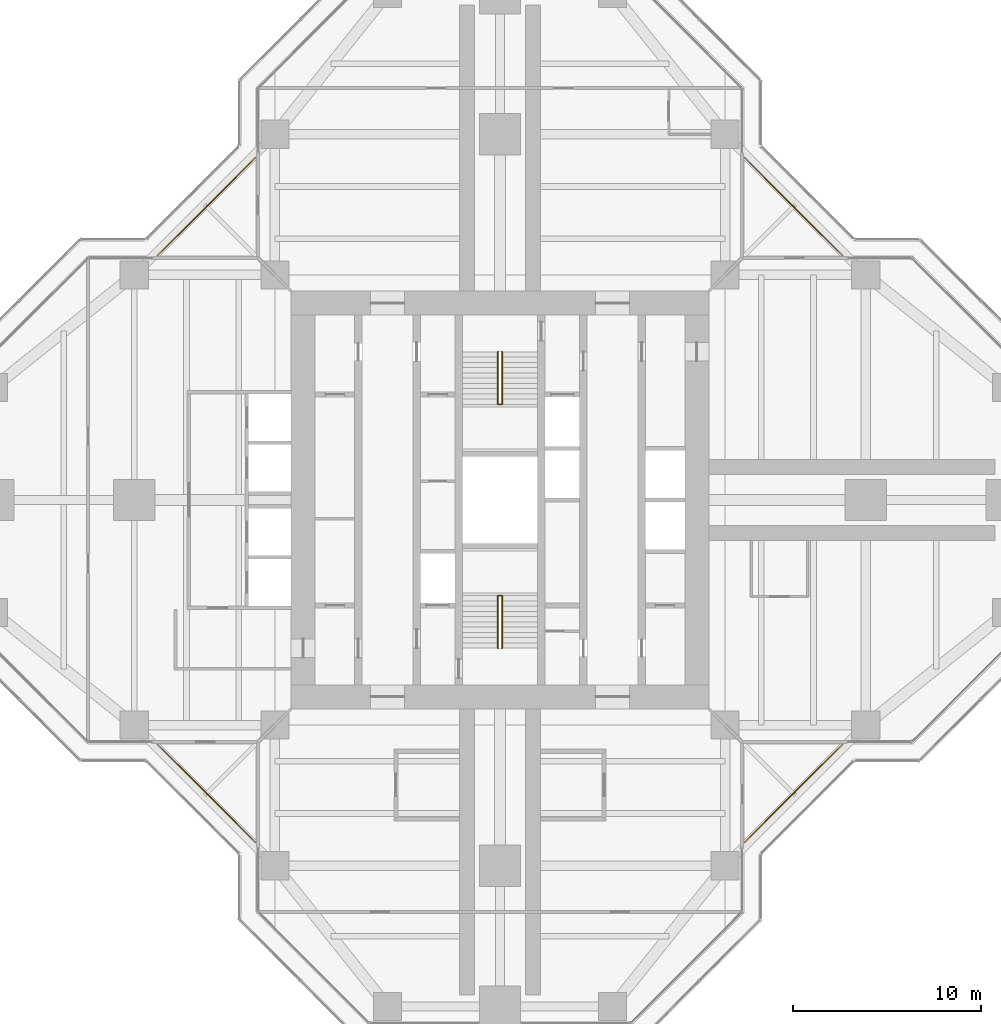
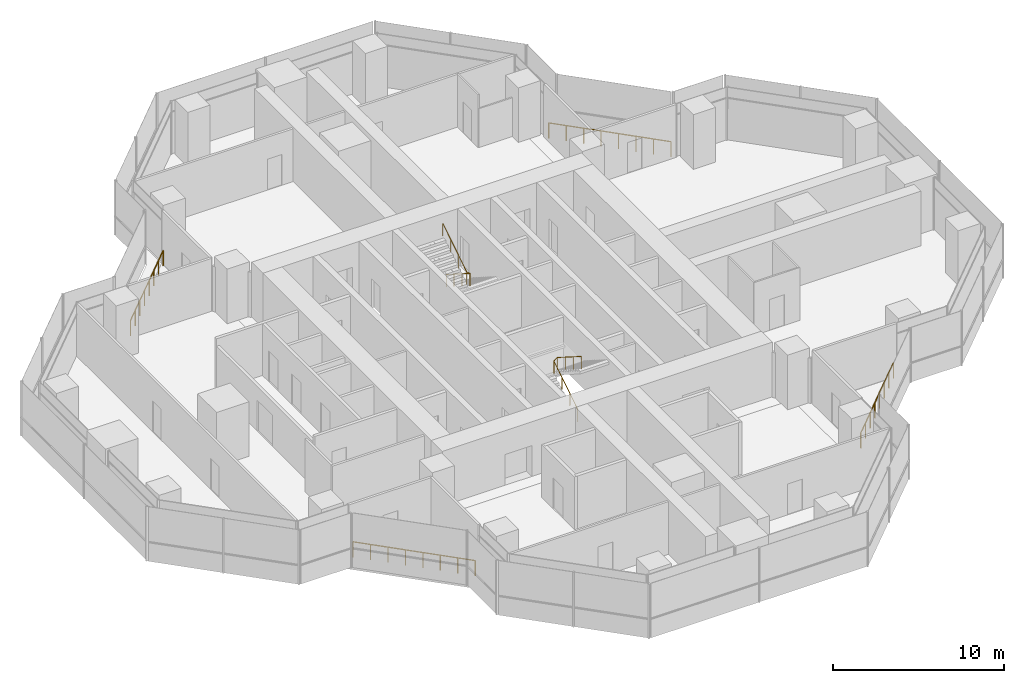
# One storey, part 17 of 17: 6 railings.
"""IFC4 building model written with IfcOpenShell, lengths in metres."""

from ifc_helpers import new_model, si_unit, direction, frame, origin, origin_2d, place, context, subcontext, project, spatial, circle, extrude, material, type_object, element, save


model = new_model("IFC4")

# Units and contexts
model_context = context("Model", 3, precision=1e-05, world=origin(), true_north=direction((0.0, 1.0)))
body_context = subcontext(model_context, "Body", "Model", "MODEL_VIEW")
ifc_project = project(units=[si_unit("LENGTHUNIT", "METRE"), si_unit("AREAUNIT", "SQUARE_METRE"), si_unit("VOLUMEUNIT", "CUBIC_METRE"), si_unit("PLANEANGLEUNIT", "RADIAN"), si_unit("MASSUNIT", "GRAM", prefix="KILO")], contexts=[model_context])

# Site, building, storey
site_placement = place(None, origin())
site = spatial("IfcSite", under=ifc_project, at=site_placement, CompositionType="ELEMENT")
building_placement = place(site_placement, origin())
building = spatial("IfcBuilding", under=site, at=building_placement, Name="Mizan Broadcast Tower", CompositionType="ELEMENT")
storey_placement = place(building_placement, frame((0.0, 0.0, 216.60009765625)))
storey = spatial("IfcBuildingStorey", under=building, at=storey_placement, Name="L50", CompositionType="ELEMENT", Elevation=216.60009765625)

# Railings
ifc_material_1 = material(Name="Stainless steel and glass guard", Category="steel")
railing_type_1 = type_object("IfcRailingType", Name="GUARD 1100", PredefinedType="GUARDRAIL", material=ifc_material_1)
railing_1_placement = place(storey_placement, frame((18.2578125, 13.030029296875, 0.0)))
element("IfcRailing", 1, at=railing_1_placement, inside=storey, type_object=railing_type_1, Name="Winter garden guard L50 E", PredefinedType="GUARDRAIL", context=body_context, shape_type="SweptSolid", body=[
    extrude(circle(Radius=0.02392578125, at=origin_2d()), frame((0.0, 0.0, 1.076171875), z_axis=(-0.707106781187, 0.707106781187, 0.0), x_axis=(-0.707106781187, -0.707106781187, 0.0)), (0.0, 0.0, 1.0), 7.393310546875),
    extrude(circle(Radius=0.02099609375, at=origin_2d()), origin(), (0.0, 0.0, 1.0), 1.052001953125),
    extrude(circle(Radius=0.02099609375, at=origin_2d()), frame((-0.746826171875, 0.746826171875, 0.0)), (0.0, 0.0, 1.0), 1.052001953125),
    extrude(circle(Radius=0.02099609375, at=origin_2d()), frame((-1.49365234375, 1.49365234375, 0.0)), (0.0, 0.0, 1.0), 1.052001953125),
    extrude(circle(Radius=0.02099609375, at=origin_2d()), frame((-2.240478515625, 2.240478515625, 0.0)), (0.0, 0.0, 1.0), 1.052001953125),
    extrude(circle(Radius=0.02099609375, at=origin_2d()), frame((-2.9873046875, 2.9873046875, 0.0)), (0.0, 0.0, 1.0), 1.052001953125),
    extrude(circle(Radius=0.02099609375, at=origin_2d()), frame((-3.734130859375, 3.734130859375, 0.0)), (0.0, 0.0, 1.0), 1.052001953125),
    extrude(circle(Radius=0.02099609375, at=origin_2d()), frame((-4.48095703125, 4.48095703125, 0.0)), (0.0, 0.0, 1.0), 1.052001953125),
    extrude(circle(Radius=0.02099609375, at=origin_2d()), frame((-5.227783203125, 5.227783203125, 0.0)), (0.0, 0.0, 1.0), 1.052001953125),
])
railing_2_placement = place(storey_placement, frame((-13.030029296875, 18.2578125, 0.0)))
element("IfcRailing", 2, at=railing_2_placement, inside=storey, type_object=railing_type_1, Name="Winter garden guard L50 N", PredefinedType="GUARDRAIL", context=body_context, shape_type="SweptSolid", body=[
    extrude(circle(Radius=0.02392578125, at=origin_2d()), frame((0.0, 0.0, 1.076171875), z_axis=(-0.707106781187, -0.707106781187, 0.0), x_axis=(0.707106781187, -0.707106781187, 0.0)), (0.0, 0.0, 1.0), 7.393310546875),
    extrude(circle(Radius=0.02099609375, at=origin_2d()), origin(), (0.0, 0.0, 1.0), 1.052001953125),
    extrude(circle(Radius=0.02099609375, at=origin_2d()), frame((-0.746826171875, -0.746826171875, 0.0)), (0.0, 0.0, 1.0), 1.052001953125),
    extrude(circle(Radius=0.02099609375, at=origin_2d()), frame((-1.49365234375, -1.49365234375, 0.0)), (0.0, 0.0, 1.0), 1.052001953125),
    extrude(circle(Radius=0.02099609375, at=origin_2d()), frame((-2.240478515625, -2.240478515625, 0.0)), (0.0, 0.0, 1.0), 1.052001953125),
    extrude(circle(Radius=0.02099609375, at=origin_2d()), frame((-2.9873046875, -2.9873046875, 0.0)), (0.0, 0.0, 1.0), 1.052001953125),
    extrude(circle(Radius=0.02099609375, at=origin_2d()), frame((-3.734130859375, -3.734130859375, 0.0)), (0.0, 0.0, 1.0), 1.052001953125),
    extrude(circle(Radius=0.02099609375, at=origin_2d()), frame((-4.48095703125, -4.48095703125, 0.0)), (0.0, 0.0, 1.0), 1.052001953125),
    extrude(circle(Radius=0.02099609375, at=origin_2d()), frame((-5.227783203125, -5.227783203125, 0.0)), (0.0, 0.0, 1.0), 1.052001953125),
])
railing_3_placement = place(storey_placement, frame((-18.2578125, -13.030029296875, 0.0)))
element("IfcRailing", 3, at=railing_3_placement, inside=storey, type_object=railing_type_1, Name="Winter garden guard L50 W", PredefinedType="GUARDRAIL", context=body_context, shape_type="SweptSolid", body=[
    extrude(circle(Radius=0.02392578125, at=origin_2d()), frame((0.0, 0.0, 1.076171875), z_axis=(0.707106781187, -0.707106781187, 0.0), x_axis=(0.707106781187, 0.707106781187, 0.0)), (0.0, 0.0, 1.0), 7.393310546875),
    extrude(circle(Radius=0.02099609375, at=origin_2d()), origin(), (0.0, 0.0, 1.0), 1.052001953125),
    extrude(circle(Radius=0.02099609375, at=origin_2d()), frame((0.746826171875, -0.746826171875, 0.0)), (0.0, 0.0, 1.0), 1.052001953125),
    extrude(circle(Radius=0.02099609375, at=origin_2d()), frame((1.49365234375, -1.49365234375, 0.0)), (0.0, 0.0, 1.0), 1.052001953125),
    extrude(circle(Radius=0.02099609375, at=origin_2d()), frame((2.240478515625, -2.240478515625, 0.0)), (0.0, 0.0, 1.0), 1.052001953125),
    extrude(circle(Radius=0.02099609375, at=origin_2d()), frame((2.9873046875, -2.9873046875, 0.0)), (0.0, 0.0, 1.0), 1.052001953125),
    extrude(circle(Radius=0.02099609375, at=origin_2d()), frame((3.734130859375, -3.734130859375, 0.0)), (0.0, 0.0, 1.0), 1.052001953125),
    extrude(circle(Radius=0.02099609375, at=origin_2d()), frame((4.48095703125, -4.48095703125, 0.0)), (0.0, 0.0, 1.0), 1.052001953125),
    extrude(circle(Radius=0.02099609375, at=origin_2d()), frame((5.227783203125, -5.227783203125, 0.0)), (0.0, 0.0, 1.0), 1.052001953125),
])
railing_4_placement = place(storey_placement, frame((13.030029296875, -18.2578125, 0.0)))
element("IfcRailing", 4, at=railing_4_placement, inside=storey, type_object=railing_type_1, Name="Winter garden guard L50 S", PredefinedType="GUARDRAIL", context=body_context, shape_type="SweptSolid", body=[
    extrude(circle(Radius=0.02392578125, at=origin_2d()), frame((0.0, 0.0, 1.076171875), z_axis=(0.707106781187, 0.707106781187, 0.0), x_axis=(-0.707106781187, 0.707106781187, 0.0)), (0.0, 0.0, 1.0), 7.393310546875),
    extrude(circle(Radius=0.02099609375, at=origin_2d()), origin(), (0.0, 0.0, 1.0), 1.052001953125),
    extrude(circle(Radius=0.02099609375, at=origin_2d()), frame((0.746826171875, 0.746826171875, 0.0)), (0.0, 0.0, 1.0), 1.052001953125),
    extrude(circle(Radius=0.02099609375, at=origin_2d()), frame((1.49365234375, 1.49365234375, 0.0)), (0.0, 0.0, 1.0), 1.052001953125),
    extrude(circle(Radius=0.02099609375, at=origin_2d()), frame((2.240478515625, 2.240478515625, 0.0)), (0.0, 0.0, 1.0), 1.052001953125),
    extrude(circle(Radius=0.02099609375, at=origin_2d()), frame((2.9873046875, 2.9873046875, 0.0)), (0.0, 0.0, 1.0), 1.052001953125),
    extrude(circle(Radius=0.02099609375, at=origin_2d()), frame((3.734130859375, 3.734130859375, 0.0)), (0.0, 0.0, 1.0), 1.052001953125),
    extrude(circle(Radius=0.02099609375, at=origin_2d()), frame((4.48095703125, 4.48095703125, 0.0)), (0.0, 0.0, 1.0), 1.052001953125),
    extrude(circle(Radius=0.02099609375, at=origin_2d()), frame((5.227783203125, 5.227783203125, 0.0)), (0.0, 0.0, 1.0), 1.052001953125),
])
ifc_material_2 = material(Name="Stainless steel", Category="steel")
railing_type_2 = type_object("IfcRailingType", Name="HANDRAIL 50", PredefinedType="HANDRAIL", material=ifc_material_2)
railing_5_placement = place(storey_placement, frame((-0.110107421875, -7.89990234375, 0.17724609375)))
element("IfcRailing", 5, at=railing_5_placement, inside=storey, type_object=railing_type_2, Name="Stair A handrail", PredefinedType="HANDRAIL", context=body_context, shape_type="SweptSolid", body=[
    extrude(circle(Radius=0.02392578125, at=origin_2d()), frame((0.0, 0.0, 0.8759765625), z_axis=(0.0, 0.844887892834, 0.53494340686), x_axis=(-1.0, 0.0, 0.0)), (0.0, 0.0, 1.0), 3.313720703125),
    extrude(circle(Radius=0.02392578125, at=origin_2d()), frame((0.0, 2.7998046875, 2.6484375), z_axis=(0.779011685263, 0.0, 0.627009405212), x_axis=(0.0, 1.0, 0.0)), (0.0, 0.0, 1.0), 0.28271484375),
    extrude(circle(Radius=0.02392578125, at=origin_2d()), frame((0.22021484375, 2.7998046875, 2.82568359375), z_axis=(0.0, -0.844887892834, 0.53494340686), x_axis=(1.0, 0.0, 0.0)), (0.0, 0.0, 1.0), 3.313720703125),
    extrude(circle(Radius=0.02099609375, at=origin_2d()), origin(), (0.0, 0.0, 1.0), 0.851806640625),
    extrude(circle(Radius=0.02099609375, at=origin_2d()), frame((0.0, 0.933349609375, 0.5908203125)), (0.0, 0.0, 1.0), 0.851806640625),
    extrude(circle(Radius=0.02099609375, at=origin_2d()), frame((0.0, 1.866455078125, 1.181884765625)), (0.0, 0.0, 1.0), 0.851806640625),
    extrude(circle(Radius=0.02099609375, at=origin_2d()), frame((0.0, 2.7998046875, 1.772705078125)), (0.0, 0.0, 1.0), 0.851806640625),
    extrude(circle(Radius=0.02099609375, at=origin_2d()), frame((0.22021484375, 2.7998046875, 1.949951171875)), (0.0, 0.0, 1.0), 0.851806640625),
    extrude(circle(Radius=0.02099609375, at=origin_2d()), frame((0.22021484375, 1.866455078125, 2.540771484375)), (0.0, 0.0, 1.0), 0.851806640625),
    extrude(circle(Radius=0.02099609375, at=origin_2d()), frame((0.22021484375, 0.933349609375, 3.1318359375)), (0.0, 0.0, 1.0), 0.851806640625),
    extrude(circle(Radius=0.02099609375, at=origin_2d()), frame((0.22021484375, 0.0, 3.72265625)), (0.0, 0.0, 1.0), 0.851806640625),
])
railing_6_placement = place(storey_placement, frame((0.110107421875, 7.89990234375, 0.17724609375)))
element("IfcRailing", 6, at=railing_6_placement, inside=storey, type_object=railing_type_2, Name="Stair B handrail", PredefinedType="HANDRAIL", context=body_context, shape_type="SweptSolid", body=[
    extrude(circle(Radius=0.02392578125, at=origin_2d()), frame((0.0, 0.0, 0.8759765625), z_axis=(0.0, -0.844887892834, 0.53494340686), x_axis=(1.0, 0.0, 0.0)), (0.0, 0.0, 1.0), 3.313720703125),
    extrude(circle(Radius=0.02392578125, at=origin_2d()), frame((0.0, -2.7998046875, 2.6484375), z_axis=(-0.779011685263, 0.0, 0.627009405212), x_axis=(0.0, -1.0, 0.0)), (0.0, 0.0, 1.0), 0.28271484375),
    extrude(circle(Radius=0.02392578125, at=origin_2d()), frame((-0.22021484375, -2.7998046875, 2.82568359375), z_axis=(0.0, 0.844887892834, 0.53494340686), x_axis=(-1.0, 0.0, 0.0)), (0.0, 0.0, 1.0), 3.313720703125),
    extrude(circle(Radius=0.02099609375, at=origin_2d()), origin(), (0.0, 0.0, 1.0), 0.851806640625),
    extrude(circle(Radius=0.02099609375, at=origin_2d()), frame((0.0, -0.933349609375, 0.5908203125)), (0.0, 0.0, 1.0), 0.851806640625),
    extrude(circle(Radius=0.02099609375, at=origin_2d()), frame((0.0, -1.866455078125, 1.181884765625)), (0.0, 0.0, 1.0), 0.851806640625),
    extrude(circle(Radius=0.02099609375, at=origin_2d()), frame((0.0, -2.7998046875, 1.772705078125)), (0.0, 0.0, 1.0), 0.851806640625),
    extrude(circle(Radius=0.02099609375, at=origin_2d()), frame((-0.22021484375, -2.7998046875, 1.949951171875)), (0.0, 0.0, 1.0), 0.851806640625),
    extrude(circle(Radius=0.02099609375, at=origin_2d()), frame((-0.22021484375, -1.866455078125, 2.540771484375)), (0.0, 0.0, 1.0), 0.851806640625),
    extrude(circle(Radius=0.02099609375, at=origin_2d()), frame((-0.22021484375, -0.933349609375, 3.1318359375)), (0.0, 0.0, 1.0), 0.851806640625),
    extrude(circle(Radius=0.02099609375, at=origin_2d()), frame((-0.22021484375, 0.0, 3.72265625)), (0.0, 0.0, 1.0), 0.851806640625),
])

save(model, "model.ifc")
